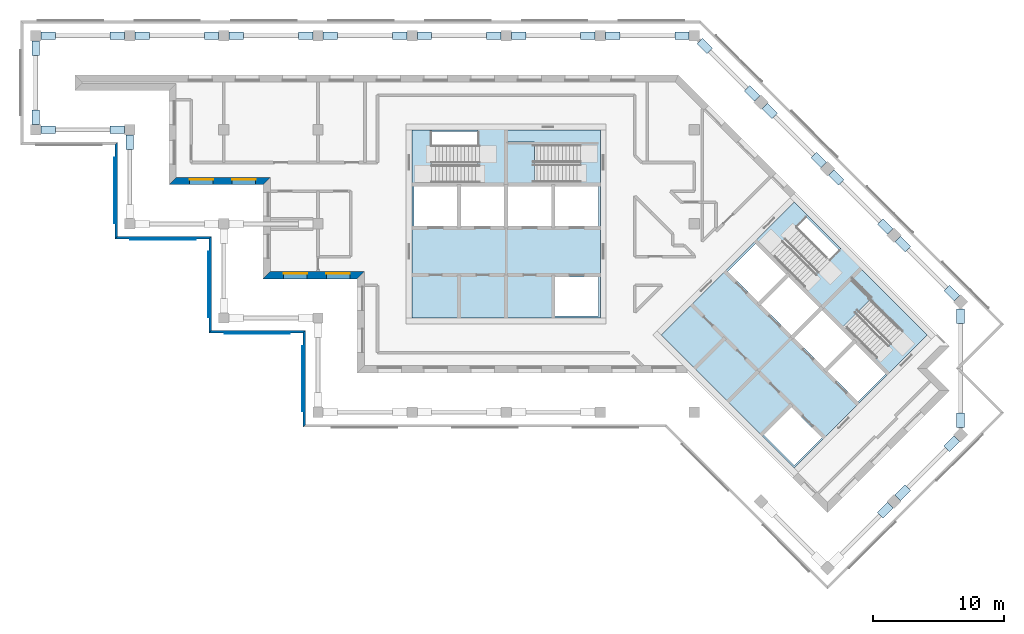
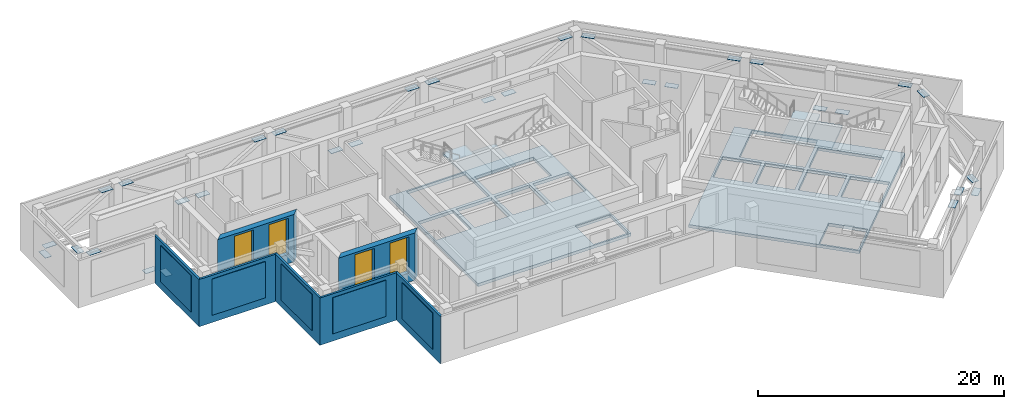
# One storey, part 2 of 9: 37 plates, 7 walls, 6 slabs, 4 windows, 18 openings, 4 elements without a shape of their own.
"""IFC4 building model written with IfcOpenShell, lengths in metres."""

import ifcopenshell
import ifcopenshell.guid

model = None  # the IFC model being written
_history = None  # IfcOwnerHistory: only IFC2X3 demands one
_inside = {}  # id of a spatial element -> (the spatial element, [elements in it])
_under = {}  # id of a project, library or spatial element -> (it, [spatial elements below it])
_declared = {}  # id of a project -> (the project, [libraries it declares])
_typed = {}  # id of a type object -> (the type object, [elements of that type])
_made_of = {}  # id of a material, layer set ... -> (it, [elements and type objects made of it])


def new_model(schema):
    """Start an empty IFC model of exactly this schema.

    Asked for "IFC4X3", IfcOpenShell would pick the latest addendum, in which some entities
    have other attributes; the version numbers below select the first issue.
    IFC2X3 requires an IfcOwnerHistory on every rooted entity: one is made here for all.
    """
    global model, _history
    if schema == "IFC4X3":
        model = ifcopenshell.file(schema_version=(4, 3, 0, 0))
    else:
        model = ifcopenshell.file(schema=schema)
    _inside.clear()
    _under.clear()
    _declared.clear()
    _typed.clear()
    _made_of.clear()
    _history = None
    if model.schema == "IFC2X3":
        org = make("IfcOrganization", Name="unknown")
        user = make(
            "IfcPersonAndOrganization",
            ThePerson=make("IfcPerson", FamilyName="unknown"),
            TheOrganization=org,
        )
        app = make(
            "IfcApplication",
            ApplicationDeveloper=org,
            Version="unknown",
            ApplicationFullName="unknown",
            ApplicationIdentifier="unknown",
        )
        _history = make(
            "IfcOwnerHistory",
            OwningUser=user,
            OwningApplication=app,
            ChangeAction="ADDED",
            CreationDate=0,
        )
    return model


def make(cls, **values):
    """One entity of the class cls with the attributes given. An attribute that is None is left unset."""
    return model.create_entity(
        cls, **{name: value for name, value in values.items() if value is not None}
    )


def rooted(cls, **values):
    """An entity with a GlobalId (a new one), such as an element, a storey or a relation."""
    return make(cls, GlobalId=ifcopenshell.guid.new(), OwnerHistory=_history, **values)


def si_unit(unit_type, name, prefix=None):
    """IfcSIUnit, for example si_unit("LENGTHUNIT", "METRE", prefix="MILLI")."""
    return make("IfcSIUnit", UnitType=unit_type, Prefix=prefix, Name=name)


def assignment(units):
    """IfcUnitAssignment: the units of a project."""
    return None if units is None else make("IfcUnitAssignment", Units=units)


def point(xyz):
    """IfcCartesianPoint."""
    return None if xyz is None else make("IfcCartesianPoint", Coordinates=xyz)


def direction(xyz):
    """IfcDirection."""
    return None if xyz is None else make("IfcDirection", DirectionRatios=xyz)


def frame(location, z_axis=None, x_axis=None):
    """IfcAxis2Placement3D, a coordinate frame: its origin and axes. An axis left out is left unset."""
    return make(
        "IfcAxis2Placement3D",
        Location=point(location),
        Axis=direction(z_axis),
        RefDirection=direction(x_axis),
    )


def frame_2d(location, x_axis=None):
    """IfcAxis2Placement2D, a coordinate frame in the plane: its origin and x axis."""
    return make(
        "IfcAxis2Placement2D", Location=point(location), RefDirection=direction(x_axis)
    )


def origin():
    """The frame at (0, 0, 0) with its axes left unset."""
    return frame((0.0, 0.0, 0.0))


def origin_2d():
    """The frame at (0, 0) in the plane with its x axis left unset."""
    return frame_2d((0.0, 0.0))


def place(relative_to, where):
    """IfcLocalPlacement: puts the frame where relative to a parent placement (None: the world)."""
    return make(
        "IfcLocalPlacement", PlacementRelTo=relative_to, RelativePlacement=where
    )


def context(
    kind, dimensions, precision=None, world=None, true_north=None, identifier=None
):
    """IfcGeometricRepresentationContext, for example the 3D "Model" context."""
    return make(
        "IfcGeometricRepresentationContext",
        ContextIdentifier=identifier,
        ContextType=kind,
        CoordinateSpaceDimension=dimensions,
        Precision=precision,
        WorldCoordinateSystem=world,
        TrueNorth=true_north,
    )


def subcontext(parent, identifier, kind, view, scale=None):
    """IfcGeometricRepresentationSubContext, for example "Body" below "Model"."""
    return make(
        "IfcGeometricRepresentationSubContext",
        ContextIdentifier=identifier,
        ContextType=kind,
        ParentContext=parent,
        TargetScale=scale,
        TargetView=view,
    )


def project(units=None, contexts=None):
    """IfcProject with its units and contexts."""
    return rooted(
        "IfcProject",
        Name="project",
        RepresentationContexts=contexts,
        UnitsInContext=assignment(units),
    )


def spatial(cls, under=None, at=None, **own):
    """A site, building, storey or space (cls), placed at a placement, below another one or the project."""
    s = rooted(cls, ObjectPlacement=at, **own)
    if under is not None:
        _under.setdefault(under.id(), (under, []))[1].append(s)
    return s


def polyline(points):
    """IfcPolyline through the points."""
    return make("IfcPolyline", Points=[point(p) for p in points])


def profile(cls, at=None, kind="AREA", **sizes):
    """A parametric profile (cls). Its sizes go by their IFC names, for example OverallWidth=200.0."""
    return make(cls, ProfileType=kind, Position=at, **sizes)


def rectangle(**sizes):
    """IfcRectangleProfileDef."""
    return profile("IfcRectangleProfileDef", **sizes)


def outline(outer, holes=None, kind="AREA"):
    """IfcArbitraryClosedProfileDef: a profile drawn as a closed curve; with holes, ...WithVoids."""
    if holes is None:
        return make("IfcArbitraryClosedProfileDef", ProfileType=kind, OuterCurve=outer)
    return make(
        "IfcArbitraryProfileDefWithVoids",
        ProfileType=kind,
        OuterCurve=outer,
        InnerCurves=holes,
    )


def extrude(swept, where, along, depth):
    """IfcExtrudedAreaSolid: the profile swept, set in the frame where, extruded along a direction by depth."""
    return make(
        "IfcExtrudedAreaSolid",
        SweptArea=swept,
        Position=where,
        ExtrudedDirection=direction(along),
        Depth=depth,
    )


def shape(context_of_items, identifier, shape_type, items):
    """IfcShapeRepresentation: the items that make up one representation, for example the "Body"."""
    return make(
        "IfcShapeRepresentation",
        ContextOfItems=context_of_items,
        RepresentationIdentifier=identifier,
        RepresentationType=shape_type,
        Items=items,
    )


def material(Name=None, Category=None):
    """IfcMaterial."""
    return make("IfcMaterial", Name=Name, Category=Category)


def layer(
    of_material, thickness, ventilated=None, Name=None, Category=None, Priority=None
):
    """IfcMaterialLayer: one layer of a wall or slab, of a material (None: an air gap)."""
    return make(
        "IfcMaterialLayer",
        Material=of_material,
        LayerThickness=thickness,
        IsVentilated=ventilated,
        Name=Name,
        Category=Category,
        Priority=Priority,
    )


def layer_set(layers, Name=None):
    """IfcMaterialLayerSet."""
    return make("IfcMaterialLayerSet", MaterialLayers=layers, LayerSetName=Name)


def made_of(thing, what):
    """Note that an element or type object is made of a material, layer set ...; save() writes the relation."""
    if what is not None:
        _made_of.setdefault(what.id(), (what, []))[1].append(thing)
    return thing


def type_object(cls, material=None, **own):
    """A type object (cls), such as IfcWallType, which elements share."""
    return made_of(rooted(cls, **own), material)


def element(
    cls,
    number,
    at=None,
    inside=None,
    cuts=None,
    type_object=None,
    material=None,
    context=None,
    identifier="Body",
    shape_type=None,
    held_by="IfcProductDefinitionShape",
    body=None,
    shapes=None,
    **own,
):
    """One element of the class cls, such as IfcWall. Its Tag is "e" and its number.

    at: its placement. inside: the storey or other place that contains it. cuts: it is an
    opening in that element (IfcRelVoidsElement). A single representation is given by context,
    identifier, shape_type and body (its items); several are given by shapes. held_by: the class
    of the entity that holds the representations. save() writes the other relations.
    """
    e = rooted(cls, Tag="e%d" % number, ObjectPlacement=at, **own)
    if body is not None:
        shapes = [shape(context, identifier, shape_type, body)]
    if shapes is not None:
        e.Representation = make(held_by, Representations=shapes)
    if inside is not None:
        _inside.setdefault(inside.id(), (inside, []))[1].append(e)
    if cuts is not None:
        rooted(
            "IfcRelVoidsElement", RelatingBuildingElement=cuts, RelatedOpeningElement=e
        )
    if type_object is not None:
        _typed.setdefault(type_object.id(), (type_object, []))[1].append(e)
    return made_of(e, material)


def fill(opening, filler):
    """IfcRelFillsElement: the door or window that sits in an opening."""
    return rooted(
        "IfcRelFillsElement",
        RelatingOpeningElement=opening,
        RelatedBuildingElement=filler,
    )


def aggregate(whole, parts):
    """IfcRelAggregates: a whole, such as a stair, and the parts it consists of."""
    return rooted("IfcRelAggregates", RelatingObject=whole, RelatedObjects=parts)


def save(model, path):
    """Write the relations noted so far, then the file.

    IfcRelAggregates (storeys below a building ...), IfcRelContainedInSpatialStructure (elements
    in a storey), IfcRelDefinesByType, IfcRelAssociatesMaterial and IfcRelDeclares: one each for
    every whole, place, type object, material and project.
    """
    for whole, parts in _under.values():
        aggregate(whole, parts)
    for where, things in _inside.values():
        rooted(
            "IfcRelContainedInSpatialStructure",
            RelatedElements=things,
            RelatingStructure=where,
        )
    for kind, things in _typed.values():
        rooted("IfcRelDefinesByType", RelatedObjects=things, RelatingType=kind)
    for what, things in _made_of.values():
        rooted("IfcRelAssociatesMaterial", RelatedObjects=things, RelatingMaterial=what)
    for by, libraries in _declared.values():
        rooted("IfcRelDeclares", RelatingContext=by, RelatedDefinitions=libraries)
    model.write(path)


model = new_model("IFC4")

# Units and contexts
model_context = context("Model", 3, precision=1e-05, world=origin(), true_north=direction((0.0, 1.0)))
body_context = subcontext(model_context, "Body", "Model", "MODEL_VIEW")
ifc_project = project(units=[si_unit("LENGTHUNIT", "METRE"), si_unit("AREAUNIT", "SQUARE_METRE"), si_unit("VOLUMEUNIT", "CUBIC_METRE"), si_unit("PLANEANGLEUNIT", "RADIAN"), si_unit("MASSUNIT", "GRAM", prefix="KILO")], contexts=[model_context])

# Plate
ifc_material_1 = material(Name="Aluminium louvre", Category="aluminium")
ifc_layer_1 = layer(ifc_material_1, 0.05)
ifc_layer_set_1 = layer_set([ifc_layer_1], Name="Belt louvre panel 5000x3600")
plate_type_1 = type_object("IfcPlateType", Name="Belt louvre panel 5000x3600", PredefinedType="SHEET", material=ifc_layer_set_1)
site_placement = place(None, origin())
building_placement = place(site_placement, origin())
storey_placement = place(building_placement, frame((0.0, 0.0, 234.6)))
plate_1_placement = place(storey_placement, frame((34.8, 62.65, 0.75), z_axis=(-1.0, 0.0, 0.0), x_axis=(0.0, -1.0, 0.0)))
plate_1 = element("IfcPlate", 1, at=plate_1_placement, type_object=plate_type_1, Name="Belt louvre panel L64 41.1", PredefinedType="SHEET", context=body_context, shape_type="SweptSolid", body=[
    extrude(outline(polyline([(0.0, 0.0), (5.0, 0.0), (5.0, 3.6), (0.0, 3.6), (0.0, 0.0)])), origin(), (0.0, 0.0, -1.0), 0.05),
])

plate_2_placement = place(storey_placement, frame((36.05, 56.4, 0.75), z_axis=(0.0, -1.0, 0.0), x_axis=(1.0, 0.0, 0.0)))
plate_2 = element("IfcPlate", 2, at=plate_2_placement, type_object=plate_type_1, Name="Belt louvre panel L64 45.1", PredefinedType="SHEET", context=body_context, shape_type="SweptSolid", body=[
    extrude(outline(polyline([(0.0, 0.0), (5.0, 0.0), (5.0, 3.6), (0.0, 3.6), (0.0, 0.0)])), origin(), (0.0, 0.0, -1.0), 0.05),
])

plate_3_placement = place(storey_placement, frame((42.0, 55.45, 0.75), z_axis=(-1.0, 0.0, 0.0), x_axis=(0.0, -1.0, 0.0)))
plate_3 = element("IfcPlate", 3, at=plate_3_placement, type_object=plate_type_1, Name="Belt louvre panel L64 49.1", PredefinedType="SHEET", context=body_context, shape_type="SweptSolid", body=[
    extrude(outline(polyline([(0.0, 0.0), (5.0, 0.0), (5.0, 3.6), (0.0, 3.6), (0.0, 0.0)])), origin(), (0.0, 0.0, -1.0), 0.05),
])

plate_4_placement = place(storey_placement, frame((43.25, 49.2, 0.75), z_axis=(0.0, -1.0, 0.0), x_axis=(1.0, 0.0, 0.0)))
plate_4 = element("IfcPlate", 4, at=plate_4_placement, type_object=plate_type_1, Name="Belt louvre panel L64 53.1", PredefinedType="SHEET", context=body_context, shape_type="SweptSolid", body=[
    extrude(outline(polyline([(0.0, 0.0), (5.0, 0.0), (5.0, 3.6), (0.0, 3.6), (0.0, 0.0)])), origin(), (0.0, 0.0, -1.0), 0.05),
])

plate_5_placement = place(storey_placement, frame((49.2, 48.25, 0.75), z_axis=(-1.0, 0.0, 0.0), x_axis=(0.0, -1.0, 0.0)))
plate_5 = element("IfcPlate", 5, at=plate_5_placement, type_object=plate_type_1, Name="Belt louvre panel L64 57.1", PredefinedType="SHEET", context=body_context, shape_type="SweptSolid", body=[
    extrude(outline(polyline([(0.0, 0.0), (5.0, 0.0), (5.0, 3.6), (0.0, 3.6), (0.0, 0.0)])), origin(), (0.0, 0.0, -1.0), 0.05),
])

# Site, building, storey
site = spatial("IfcSite", under=ifc_project, at=site_placement, CompositionType="ELEMENT")
building = spatial("IfcBuilding", under=site, at=building_placement, Name="Windrow Commons", CompositionType="ELEMENT")
storey = spatial("IfcBuildingStorey", under=building, at=storey_placement, Name="L64", CompositionType="ELEMENT", Elevation=234.6)

# Slab, openings
ifc_material_2 = material(Name="Concrete C40/50", Category="concrete")
ifc_layer_2 = layer(ifc_material_2, 0.3)
ifc_layer_set_2 = layer_set([ifc_layer_2], Name="CORE FLOOR SLAB 300 C40/50")
slab_type_1 = type_object("IfcSlabType", Name="CORE FLOOR SLAB 300 C40/50", PredefinedType="FLOOR", material=ifc_layer_set_2)
placement_1 = place(storey_placement, frame((0.0, 0.0, -0.3)))
slab_1 = element("IfcSlab", 6, at=placement_1, inside=storey, type_object=slab_type_1, Name="S-L64-core-A", PredefinedType="FLOOR", context=body_context, shape_type="SweptSolid", body=[
    extrude(outline(polyline([(57.6, 50.4), (72.0, 50.4), (72.0, 64.8), (57.6, 64.8), (57.6, 50.4)]), holes=[polyline([(68.55, 50.55), (71.85, 50.55), (71.85, 53.55), (68.55, 53.55), (68.55, 50.55)]), polyline([(57.75, 57.45), (61.05, 57.45), (61.05, 60.45), (57.75, 60.45), (57.75, 57.45)]), polyline([(61.35, 57.45), (64.65, 57.45), (64.65, 60.45), (61.35, 60.45), (61.35, 57.45)]), polyline([(64.95, 57.45), (68.25, 57.45), (68.25, 60.45), (64.95, 60.45), (64.95, 57.45)]), polyline([(68.55, 57.45), (71.85, 57.45), (71.85, 60.45), (68.55, 60.45), (68.55, 57.45)]), polyline([(59.1, 60.75), (64.65, 60.75), (64.65, 64.65), (59.1, 64.65), (59.1, 60.75)]), polyline([(64.95, 60.75), (70.5, 60.75), (70.5, 63.705), (64.95, 63.705), (64.95, 60.75)])]), origin(), (0.0, 0.0, 1.0), 0.3),
])
opening_1_placement = place(placement_1, origin())
element("IfcOpeningElement", 7, at=opening_1_placement, cuts=slab_1, Name="Slab opening S-L64-core-A 1", PredefinedType="OPENING", context=body_context, shape_type="SweptSolid", body=[
    extrude(outline(polyline([(68.555, 50.555), (68.555, 53.545), (71.845, 53.545), (71.845, 50.555), (68.555, 50.555)])), origin(), (0.0, 0.0, 1.0), 0.3),
])
opening_2_placement = place(placement_1, origin())
element("IfcOpeningElement", 8, at=opening_2_placement, cuts=slab_1, Name="Slab opening S-L64-core-A 2", PredefinedType="OPENING", context=body_context, shape_type="SweptSolid", body=[
    extrude(outline(polyline([(57.755, 57.455), (57.755, 60.445), (61.045, 60.445), (61.045, 57.455), (57.755, 57.455)])), origin(), (0.0, 0.0, 1.0), 0.3),
])
opening_3_placement = place(placement_1, origin())
element("IfcOpeningElement", 9, at=opening_3_placement, cuts=slab_1, Name="Slab opening S-L64-core-A 3", PredefinedType="OPENING", context=body_context, shape_type="SweptSolid", body=[
    extrude(outline(polyline([(61.355, 57.455), (61.355, 60.445), (64.645, 60.445), (64.645, 57.455), (61.355, 57.455)])), origin(), (0.0, 0.0, 1.0), 0.3),
])
opening_4_placement = place(placement_1, origin())
element("IfcOpeningElement", 10, at=opening_4_placement, cuts=slab_1, Name="Slab opening S-L64-core-A 4", PredefinedType="OPENING", context=body_context, shape_type="SweptSolid", body=[
    extrude(outline(polyline([(64.955, 57.455), (64.955, 60.445), (68.245, 60.445), (68.245, 57.455), (64.955, 57.455)])), origin(), (0.0, 0.0, 1.0), 0.3),
])
opening_5_placement = place(placement_1, origin())
element("IfcOpeningElement", 11, at=opening_5_placement, cuts=slab_1, Name="Slab opening S-L64-core-A 5", PredefinedType="OPENING", context=body_context, shape_type="SweptSolid", body=[
    extrude(outline(polyline([(68.555, 57.455), (68.555, 60.445), (71.845, 60.445), (71.845, 57.455), (68.555, 57.455)])), origin(), (0.0, 0.0, 1.0), 0.3),
])
opening_6_placement = place(placement_1, origin())
element("IfcOpeningElement", 12, at=opening_6_placement, cuts=slab_1, Name="Slab opening S-L64-core-A 6", PredefinedType="OPENING", context=body_context, shape_type="SweptSolid", body=[
    extrude(outline(polyline([(59.105, 60.755), (59.105, 64.645), (64.645, 64.645), (64.645, 60.755), (59.105, 60.755)])), origin(), (0.0, 0.0, 1.0), 0.3),
])
opening_7_placement = place(placement_1, origin())
element("IfcOpeningElement", 13, at=opening_7_placement, cuts=slab_1, Name="Slab opening S-L64-core-A 7", PredefinedType="OPENING", context=body_context, shape_type="SweptSolid", body=[
    extrude(outline(polyline([(64.955, 60.755), (64.955, 63.7), (70.495, 63.7), (70.495, 60.755), (64.955, 60.755)])), origin(), (0.0, 0.0, 1.0), 0.3),
])

slab_2 = element("IfcSlab", 14, at=placement_1, inside=storey, type_object=slab_type_1, Name="S-L64-core-B", PredefinedType="FLOOR", context=body_context, shape_type="SweptSolid", body=[
    extrude(outline(polyline([(76.6544, 49.0897), (86.8368, 38.9074), (97.0191, 49.0897), (86.8368, 59.2721), (76.6544, 49.0897)]), holes=[polyline([(84.5033, 41.453), (86.8368, 39.1195), (88.9581, 41.2409), (86.6246, 43.5743), (84.5033, 41.453)]), polyline([(81.7456, 53.9688), (84.079, 51.6353), (86.2004, 53.7566), (83.8669, 56.0901), (81.7456, 53.9688)]), polyline([(84.2912, 51.4232), (86.6246, 49.0897), (88.7459, 51.2111), (86.4125, 53.5445), (84.2912, 51.4232)]), polyline([(86.8368, 48.8776), (89.1702, 46.5442), (91.2915, 48.6655), (88.9581, 50.9989), (86.8368, 48.8776)]), polyline([(89.3823, 46.332), (91.7158, 43.9986), (93.8371, 46.1199), (91.5037, 48.4533), (89.3823, 46.332)]), polyline([(85.0336, 55.3476), (88.9581, 51.4232), (91.7158, 54.1809), (87.7913, 58.1054), (85.0336, 55.3476)]), polyline([(89.1702, 51.2111), (93.0946, 47.2866), (95.1841, 49.3761), (91.2597, 53.3006), (89.1702, 51.2111)])]), origin(), (0.0, 0.0, 1.0), 0.3),
])
opening_8_placement = place(placement_1, origin())
element("IfcOpeningElement", 15, at=opening_8_placement, cuts=slab_2, Name="Slab opening S-L64-core-B 1", PredefinedType="OPENING", context=body_context, shape_type="SweptSolid", body=[
    extrude(outline(polyline([(84.5104, 41.453), (86.6246, 43.5672), (88.951, 41.2409), (86.8368, 39.1266), (84.5104, 41.453)])), origin(), (0.0, 0.0, 1.0), 0.3),
])
opening_9_placement = place(placement_1, origin())
element("IfcOpeningElement", 16, at=opening_9_placement, cuts=slab_2, Name="Slab opening S-L64-core-B 2", PredefinedType="OPENING", context=body_context, shape_type="SweptSolid", body=[
    extrude(outline(polyline([(81.7527, 53.9688), (83.8669, 56.083), (86.1933, 53.7566), (84.079, 51.6424), (81.7527, 53.9688)])), origin(), (0.0, 0.0, 1.0), 0.3),
])
opening_10_placement = place(placement_1, origin())
element("IfcOpeningElement", 17, at=opening_10_placement, cuts=slab_2, Name="Slab opening S-L64-core-B 3", PredefinedType="OPENING", context=body_context, shape_type="SweptSolid", body=[
    extrude(outline(polyline([(84.2983, 51.4232), (86.4125, 53.5374), (88.7388, 51.2111), (86.6246, 49.0968), (84.2983, 51.4232)])), origin(), (0.0, 0.0, 1.0), 0.3),
])
opening_11_placement = place(placement_1, origin())
element("IfcOpeningElement", 18, at=opening_11_placement, cuts=slab_2, Name="Slab opening S-L64-core-B 4", PredefinedType="OPENING", context=body_context, shape_type="SweptSolid", body=[
    extrude(outline(polyline([(86.8439, 48.8776), (88.9581, 50.9918), (91.2844, 48.6655), (89.1702, 46.5513), (86.8439, 48.8776)])), origin(), (0.0, 0.0, 1.0), 0.3),
])
opening_12_placement = place(placement_1, origin())
element("IfcOpeningElement", 19, at=opening_12_placement, cuts=slab_2, Name="Slab opening S-L64-core-B 5", PredefinedType="OPENING", context=body_context, shape_type="SweptSolid", body=[
    extrude(outline(polyline([(89.3894, 46.332), (91.5037, 48.4462), (93.83, 46.1199), (91.7158, 44.0057), (89.3894, 46.332)])), origin(), (0.0, 0.0, 1.0), 0.3),
])
opening_13_placement = place(placement_1, origin())
element("IfcOpeningElement", 20, at=opening_13_placement, cuts=slab_2, Name="Slab opening S-L64-core-B 6", PredefinedType="OPENING", context=body_context, shape_type="SweptSolid", body=[
    extrude(outline(polyline([(85.0407, 55.3476), (87.7913, 58.0983), (91.7087, 54.1809), (88.9581, 51.4303), (85.0407, 55.3476)])), origin(), (0.0, 0.0, 1.0), 0.3),
])
opening_14_placement = place(placement_1, origin())
element("IfcOpeningElement", 21, at=opening_14_placement, cuts=slab_2, Name="Slab opening S-L64-core-B 7", PredefinedType="OPENING", context=body_context, shape_type="SweptSolid", body=[
    extrude(outline(polyline([(89.1773, 51.2111), (91.2597, 53.2935), (95.177, 49.3761), (93.0946, 47.2937), (89.1773, 51.2111)])), origin(), (0.0, 0.0, 1.0), 0.3),
])

# Stair, slab
ifc_material_3 = material(Name="Concrete C40/50", Category="concrete")
stair_type = type_object("IfcStairType", Name="Core stair", PredefinedType="HALF_TURN_STAIR", material=ifc_material_3)
placement_2 = place(storey_placement, origin())
stair_1 = element("IfcStair", 22, at=placement_2, inside=storey, type_object=stair_type, Name="L64 Exit stair A1 core A", PredefinedType="HALF_TURN_STAIR")
ifc_material_4 = material(Name="Concrete C40/50", Category="concrete")
ifc_layer_3 = layer(ifc_material_4, 0.2)
ifc_layer_set_3 = layer_set([ifc_layer_3], Name="Core stair landing")
slab_type_2 = type_object("IfcSlabType", Name="Core stair landing", PredefinedType="LANDING", material=ifc_layer_set_3)
placement_3 = place(storey_placement, frame((0.0, 0.0, 2.3)))
slab_3 = element("IfcSlab", 23, at=placement_3, type_object=slab_type_2, Name="ST-A1 landing 1", PredefinedType="LANDING", context=body_context, shape_type="SweptSolid", body=[
    extrude(outline(polyline([(62.62, 60.5), (64.8, 60.5), (64.8, 64.9), (62.62, 64.9), (62.62, 60.5)])), origin(), (0.0, 0.0, 1.0), 0.2),
])
aggregate(stair_1, [slab_3])

stair_2 = element("IfcStair", 24, at=placement_2, inside=storey, type_object=stair_type, Name="L64 Exit stair A2 core A", PredefinedType="HALF_TURN_STAIR")
slab_4 = element("IfcSlab", 25, at=placement_3, type_object=slab_type_2, Name="ST-A2 landing 1", PredefinedType="LANDING", context=body_context, shape_type="SweptSolid", body=[
    extrude(outline(polyline([(64.8, 60.5), (66.98, 60.5), (66.98, 63.855), (64.8, 63.855), (64.8, 60.5)])), origin(), (0.0, 0.0, 1.0), 0.2),
])
aggregate(stair_2, [slab_4])

stair_3 = element("IfcStair", 26, at=placement_2, inside=storey, type_object=stair_type, Name="L64 Exit stair B1 core B", PredefinedType="HALF_TURN_STAIR")
slab_5 = element("IfcSlab", 27, at=placement_3, type_object=slab_type_2, Name="ST-B1 landing 1", PredefinedType="LANDING", context=body_context, shape_type="SweptSolid", body=[
    extrude(outline(polyline([(87.3459, 52.6819), (88.8874, 51.1403), (91.9986, 54.2516), (90.4571, 55.7931), (87.3459, 52.6819)])), origin(), (0.0, 0.0, 1.0), 0.2),
])
aggregate(stair_3, [slab_5])

stair_4 = element("IfcStair", 28, at=placement_2, inside=storey, type_object=stair_type, Name="L64 Exit stair B2 core B", PredefinedType="HALF_TURN_STAIR")
slab_6 = element("IfcSlab", 29, at=placement_3, type_object=slab_type_2, Name="ST-B2 landing 1", PredefinedType="LANDING", context=body_context, shape_type="SweptSolid", body=[
    extrude(outline(polyline([(88.8874, 51.1403), (90.4289, 49.5989), (92.8012, 51.9712), (91.2597, 53.5127), (88.8874, 51.1403)])), origin(), (0.0, 0.0, 1.0), 0.2),
])
aggregate(stair_4, [slab_6])

# Plates
ifc_material_5 = material(Name="Steel S355", Category="steel")
ifc_layer_4 = layer(ifc_material_5, 0.03)
ifc_layer_set_4 = layer_set([ifc_layer_4], Name="GUSSET PLATE 30 S355")
plate_type_2 = type_object("IfcPlateType", Name="GUSSET PLATE 30 S355", PredefinedType="USERDEFINED", material=ifc_layer_set_4)
for number, where, z_axis, x_axis, name in (
    (30, (36.0, 63.85, 0.5), (0.0, 0.0, 1.0), (0.0, 1.0, 0.0), "Gusset plate L64 belt00 14"),
    (31, (35.05, 64.8, 0.5), (0.0, 0.0, 1.0), (-1.0, 0.0, 0.0), "Gusset plate L64 belt00 15"),
    (32, (29.75, 64.8, 4.17), (0.0, 0.0, 1.0), (-1.0, 0.0, 0.0), "Gusset plate L64 belt00 16"),
    (33, (28.8, 65.75, 4.17), (0.0, 0.0, 1.0), (0.0, 1.0, 0.0), "Gusset plate L64 belt00 17"),
    (34, (28.8, 71.05, 0.5), (0.0, 0.0, 1.0), (0.0, 1.0, 0.0), "Gusset plate L64 belt00 18"),
    (35, (29.75, 72.0, 0.5), (0.0, 0.0, 1.0), (1.0, 0.0, 0.0), "Gusset plate L64 belt00 19"),
    (36, (35.05, 72.0, 4.17), (0.0, 0.0, 1.0), (1.0, 0.0, 0.0), "Gusset plate L64 belt00 20"),
    (37, (36.95, 72.0, 4.17), (0.0, 0.0, 1.0), (1.0, 0.0, 0.0), "Gusset plate L64 belt00 21"),
    (38, (42.25, 72.0, 0.5), (0.0, 0.0, 1.0), (1.0, 0.0, 0.0), "Gusset plate L64 belt00 22"),
    (39, (44.15, 72.0, 0.5), (0.0, 0.0, 1.0), (1.0, 0.0, 0.0), "Gusset plate L64 belt00 23"),
    (40, (49.45, 72.0, 4.17), (0.0, 0.0, 1.0), (1.0, 0.0, 0.0), "Gusset plate L64 belt00 24"),
    (41, (51.35, 72.0, 4.17), (0.0, 0.0, 1.0), (1.0, 0.0, 0.0), "Gusset plate L64 belt00 25"),
    (42, (56.65, 72.0, 0.5), (0.0, 0.0, 1.0), (1.0, 0.0, 0.0), "Gusset plate L64 belt00 26"),
    (43, (58.55, 72.0, 0.5), (0.0, 0.0, 1.0), (1.0, 0.0, 0.0), "Gusset plate L64 belt00 27"),
    (44, (63.85, 72.0, 4.17), (0.0, 0.0, 1.0), (1.0, 0.0, 0.0), "Gusset plate L64 belt00 28"),
    (45, (65.75, 72.0, 4.17), (0.0, 0.0, 1.0), (1.0, 0.0, 0.0), "Gusset plate L64 belt00 29"),
    (46, (71.05, 72.0, 0.5), (0.0, 0.0, 1.0), (1.0, 0.0, 0.0), "Gusset plate L64 belt00 30"),
    (47, (72.95, 72.0, 0.5), (0.0, 0.0, 1.0), (1.0, 0.0, 0.0), "Gusset plate L64 belt00 31"),
    (48, (78.25, 72.0, 4.17), (0.0, 0.0, 1.0), (1.0, 0.0, 0.0), "Gusset plate L64 belt00 32"),
    (49, (79.9889, 71.2111, 4.17), (0.0, 0.0, 1.0), (0.7071067812, -0.7071067812, 0.0), "Gusset plate L64 belt00 33"),
    (50, (83.6194, 67.5806, 0.5), (0.0, 0.0, 1.0), (0.7071067812, -0.7071067812, 0.0), "Gusset plate L64 belt00 34"),
    (51, (84.963, 66.237, 0.5), (0.0, 0.0, 1.0), (0.7071067812, -0.7071067812, 0.0), "Gusset plate L64 belt00 35"),
    (52, (88.7105, 62.4895, 4.17), (0.0, 0.0, 1.0), (0.7071067812, -0.7071067812, 0.0), "Gusset plate L64 belt00 36"),
    (53, (90.0541, 61.1459, 4.17), (0.0, 0.0, 1.0), (0.7071067812, -0.7071067812, 0.0), "Gusset plate L64 belt00 37"),
    (54, (93.8017, 57.3983, 0.5), (0.0, 0.0, 1.0), (0.7071067812, -0.7071067812, 0.0), "Gusset plate L64 belt00 38"),
    (55, (95.1453, 56.0547, 0.5), (0.0, 0.0, 1.0), (0.7071067812, -0.7071067812, 0.0), "Gusset plate L64 belt00 39"),
    (56, (98.8929, 52.3071, 4.17), (0.0, 0.0, 1.0), (0.7071067812, -0.7071067812, 0.0), "Gusset plate L64 belt00 40"),
    (57, (99.5647, 50.5196, 4.17), (0.0, 0.0, 1.0), (0.0, -1.0, 0.0), "Gusset plate L64 belt00 41"),
    (58, (99.5647, 42.5687, 0.5), (0.0, 0.0, 1.0), (0.0, -1.0, 0.0), "Gusset plate L64 belt00 42"),
    (59, (98.8929, 40.7812, 0.5), (0.0, 0.0, 1.0), (-0.7071067812, -0.7071067812, 0.0), "Gusset plate L64 belt00 43"),
    (60, (95.1453, 37.0336, 4.17), (0.0, 0.0, 1.0), (-0.7071067812, -0.7071067812, 0.0), "Gusset plate L64 belt00 44"),
    (61, (93.8017, 35.69, 4.17), (0.0, 0.0, 1.0), (-0.7071067812, -0.7071067812, 0.0), "Gusset plate L64 belt00 45"),
):
    element("IfcPlate", number, at=place(storey_placement, frame(where, z_axis=z_axis, x_axis=x_axis)), inside=storey, type_object=plate_type_2, Name=name, ObjectType="GUSSET PLATE", PredefinedType="USERDEFINED", context=body_context, shape_type="SweptSolid", body=[
        extrude(rectangle(XDim=1.1, YDim=0.6, at=origin_2d()), origin(), (0.0, 0.0, 1.0), 0.03),
    ])

# Wall
ifc_material_6 = material(Name="Concrete C40/50 precast screen panel", Category="concrete")
ifc_layer_5 = layer(ifc_material_6, 0.2)
ifc_layer_set_5 = layer_set([ifc_layer_5], Name="Belt screen wall 200")
wall_type_1 = type_object("IfcWallType", Name="Belt screen wall 200", PredefinedType="SOLIDWALL", material=ifc_layer_set_5)
wall_1_placement = place(storey_placement, frame((34.95, 63.75, 0.0), z_axis=(0.0, 0.0, 1.0), x_axis=(0.0, -1.0, 0.0)))
wall_1 = element("IfcWall", 62, at=wall_1_placement, inside=storey, type_object=wall_type_1, Name="Belt screen wall L64 41", PredefinedType="SOLIDWALL", context=body_context, shape_type="SweptSolid", body=[
    extrude(outline(polyline([(0.1, -0.1), (7.3, -0.1), (7.1, 0.1), (-0.1, 0.1), (0.1, -0.1)])), origin(), (0.0, 0.0, 1.0), 4.7),
])

aggregate(wall_1, [plate_1])

wall_2_placement = place(storey_placement, frame((34.95, 56.55, 0.0), z_axis=(0.0, 0.0, 1.0), x_axis=(1.0, 0.0, 0.0)))
wall_2 = element("IfcWall", 63, at=wall_2_placement, inside=storey, type_object=wall_type_1, Name="Belt screen wall L64 45", PredefinedType="SOLIDWALL", context=body_context, shape_type="SweptSolid", body=[
    extrude(outline(polyline([(-0.1, -0.1), (7.1, -0.1), (7.3, 0.1), (0.1, 0.1), (-0.1, -0.1)])), origin(), (0.0, 0.0, 1.0), 4.7),
])

aggregate(wall_2, [plate_2])

wall_3_placement = place(storey_placement, frame((42.15, 56.55, 0.0), z_axis=(0.0, 0.0, 1.0), x_axis=(0.0, -1.0, 0.0)))
wall_3 = element("IfcWall", 64, at=wall_3_placement, inside=storey, type_object=wall_type_1, Name="Belt screen wall L64 49", PredefinedType="SOLIDWALL", context=body_context, shape_type="SweptSolid", body=[
    extrude(outline(polyline([(0.1, -0.1), (7.3, -0.1), (7.1, 0.1), (-0.1, 0.1), (0.1, -0.1)])), origin(), (0.0, 0.0, 1.0), 4.7),
])

aggregate(wall_3, [plate_3])

wall_4_placement = place(storey_placement, frame((42.15, 49.35, 0.0), z_axis=(0.0, 0.0, 1.0), x_axis=(1.0, 0.0, 0.0)))
wall_4 = element("IfcWall", 65, at=wall_4_placement, inside=storey, type_object=wall_type_1, Name="Belt screen wall L64 53", PredefinedType="SOLIDWALL", context=body_context, shape_type="SweptSolid", body=[
    extrude(outline(polyline([(-0.1, -0.1), (7.1, -0.1), (7.3, 0.1), (0.1, 0.1), (-0.1, -0.1)])), origin(), (0.0, 0.0, 1.0), 4.7),
])

aggregate(wall_4, [plate_4])

wall_5_placement = place(storey_placement, frame((49.35, 49.35, 0.0), z_axis=(0.0, 0.0, 1.0), x_axis=(0.0, -1.0, 0.0)))
wall_5 = element("IfcWall", 66, at=wall_5_placement, inside=storey, type_object=wall_type_1, Name="Belt screen wall L64 57", PredefinedType="SOLIDWALL", context=body_context, shape_type="SweptSolid", body=[
    extrude(outline(polyline([(0.1, -0.1), (7.3, -0.1), (7.1, 0.1), (-0.1, 0.1), (0.1, -0.1)])), origin(), (0.0, 0.0, 1.0), 4.7),
])

aggregate(wall_5, [plate_5])

# Wall, openings, windows
ifc_material_7 = material(Name="Brick masonry, red clay brick", Category="masonry")
ifc_layer_6 = layer(ifc_material_7, 0.55)
ifc_layer_set_6 = layer_set([ifc_layer_6], Name="Brick facade wall 550")
wall_type_2 = type_object("IfcWallType", Name="Brick facade wall 550", PredefinedType="SOLIDWALL", material=ifc_layer_set_6)
wall_6_placement = place(storey_placement, frame((39.275, 60.875, 0.0), z_axis=(0.0, 0.0, 1.0), x_axis=(1.0, 0.0, 0.0)))
wall_6 = element("IfcWall", 67, at=wall_6_placement, inside=storey, type_object=wall_type_2, Name="Brick facade wall L64 8", PredefinedType="SOLIDWALL", context=body_context, shape_type="SweptSolid", body=[
    extrude(outline(polyline([(-0.275, -0.275), (6.925, -0.275), (7.475, 0.275), (0.275, 0.275), (-0.275, -0.275)])), origin(), (0.0, 0.0, 1.0), 4.7),
])
opening_15_placement = place(wall_6_placement, frame((1.3, 0.0, 0.9)))
opening_15 = element("IfcOpeningElement", 68, at=opening_15_placement, cuts=wall_6, Name="Opening LV2", PredefinedType="OPENING", context=body_context, shape_type="SweptSolid", body=[
    extrude(rectangle(XDim=1.8, YDim=3.6, at=frame_2d((0.9, 1.8))), frame((0.0, 0.285, 0.0), z_axis=(0.0, -1.0, 0.0), x_axis=(1.0, 0.0, 0.0)), (0.0, 0.0, 1.0), 0.57),
])
opening_16_placement = place(wall_6_placement, frame((4.5625, 0.0, 0.9)))
opening_16 = element("IfcOpeningElement", 69, at=opening_16_placement, cuts=wall_6, Name="Opening LV2", PredefinedType="OPENING", context=body_context, shape_type="SweptSolid", body=[
    extrude(rectangle(XDim=1.8, YDim=3.6, at=frame_2d((0.9, 1.8))), frame((0.0, 0.285, 0.0), z_axis=(0.0, -1.0, 0.0), x_axis=(1.0, 0.0, 0.0)), (0.0, 0.0, 1.0), 0.57),
])
ifc_material_8 = material(Name="Aluminium 6063-T6 anodised louvre", Category="aluminium")
window_type = type_object("IfcWindowType", Name="Plant louvre 1800x3600", PartitioningType="SINGLE_PANEL", PredefinedType="WINDOW", material=ifc_material_8)
window_1_placement = place(opening_15_placement, origin())
window_1 = element("IfcWindow", 70, at=window_1_placement, inside=storey, type_object=window_type, Name="Louvre L64 8.1", OverallHeight=3.6, OverallWidth=1.8, PartitioningType="SINGLE_PANEL", PredefinedType="WINDOW", context=body_context, shape_type="SweptSolid", body=[
    extrude(rectangle(XDim=1.8, YDim=3.6, at=frame_2d((0.9, 1.8))), frame((0.0, 0.155, 0.0), z_axis=(0.0, -1.0, 0.0), x_axis=(1.0, 0.0, 0.0)), (0.0, 0.0, 1.0), 0.06),
])
fill(opening_15, window_1)
window_2_placement = place(opening_16_placement, origin())
window_2 = element("IfcWindow", 71, at=window_2_placement, inside=storey, type_object=window_type, Name="Louvre L64 8.2", OverallHeight=3.6, OverallWidth=1.8, PartitioningType="SINGLE_PANEL", PredefinedType="WINDOW", context=body_context, shape_type="SweptSolid", body=[
    extrude(rectangle(XDim=1.8, YDim=3.6, at=frame_2d((0.9, 1.8))), frame((0.0, 0.155, 0.0), z_axis=(0.0, -1.0, 0.0), x_axis=(1.0, 0.0, 0.0)), (0.0, 0.0, 1.0), 0.06),
])
fill(opening_16, window_2)

wall_7_placement = place(storey_placement, frame((46.475, 53.675, 0.0), z_axis=(0.0, 0.0, 1.0), x_axis=(1.0, 0.0, 0.0)))
wall_7 = element("IfcWall", 72, at=wall_7_placement, inside=storey, type_object=wall_type_2, Name="Brick facade wall L64 10", PredefinedType="SOLIDWALL", context=body_context, shape_type="SweptSolid", body=[
    extrude(outline(polyline([(-0.275, -0.275), (6.925, -0.275), (7.475, 0.275), (0.275, 0.275), (-0.275, -0.275)])), origin(), (0.0, 0.0, 1.0), 4.7),
])
opening_17_placement = place(wall_7_placement, frame((1.3, 0.0, 0.9)))
opening_17 = element("IfcOpeningElement", 73, at=opening_17_placement, cuts=wall_7, Name="Opening LV2", PredefinedType="OPENING", context=body_context, shape_type="SweptSolid", body=[
    extrude(rectangle(XDim=1.8, YDim=3.6, at=frame_2d((0.9, 1.8))), frame((0.0, 0.285, 0.0), z_axis=(0.0, -1.0, 0.0), x_axis=(1.0, 0.0, 0.0)), (0.0, 0.0, 1.0), 0.57),
])
opening_18_placement = place(wall_7_placement, frame((4.5625, 0.0, 0.9)))
opening_18 = element("IfcOpeningElement", 74, at=opening_18_placement, cuts=wall_7, Name="Opening LV2", PredefinedType="OPENING", context=body_context, shape_type="SweptSolid", body=[
    extrude(rectangle(XDim=1.8, YDim=3.6, at=frame_2d((0.9, 1.8))), frame((0.0, 0.285, 0.0), z_axis=(0.0, -1.0, 0.0), x_axis=(1.0, 0.0, 0.0)), (0.0, 0.0, 1.0), 0.57),
])
window_3_placement = place(opening_17_placement, origin())
window_3 = element("IfcWindow", 75, at=window_3_placement, inside=storey, type_object=window_type, Name="Louvre L64 10.1", OverallHeight=3.6, OverallWidth=1.8, PartitioningType="SINGLE_PANEL", PredefinedType="WINDOW", context=body_context, shape_type="SweptSolid", body=[
    extrude(rectangle(XDim=1.8, YDim=3.6, at=frame_2d((0.9, 1.8))), frame((0.0, 0.155, 0.0), z_axis=(0.0, -1.0, 0.0), x_axis=(1.0, 0.0, 0.0)), (0.0, 0.0, 1.0), 0.06),
])
fill(opening_17, window_3)
window_4_placement = place(opening_18_placement, origin())
window_4 = element("IfcWindow", 76, at=window_4_placement, inside=storey, type_object=window_type, Name="Louvre L64 10.2", OverallHeight=3.6, OverallWidth=1.8, PartitioningType="SINGLE_PANEL", PredefinedType="WINDOW", context=body_context, shape_type="SweptSolid", body=[
    extrude(rectangle(XDim=1.8, YDim=3.6, at=frame_2d((0.9, 1.8))), frame((0.0, 0.155, 0.0), z_axis=(0.0, -1.0, 0.0), x_axis=(1.0, 0.0, 0.0)), (0.0, 0.0, 1.0), 0.06),
])
fill(opening_18, window_4)

save(model, "model.ifc")
